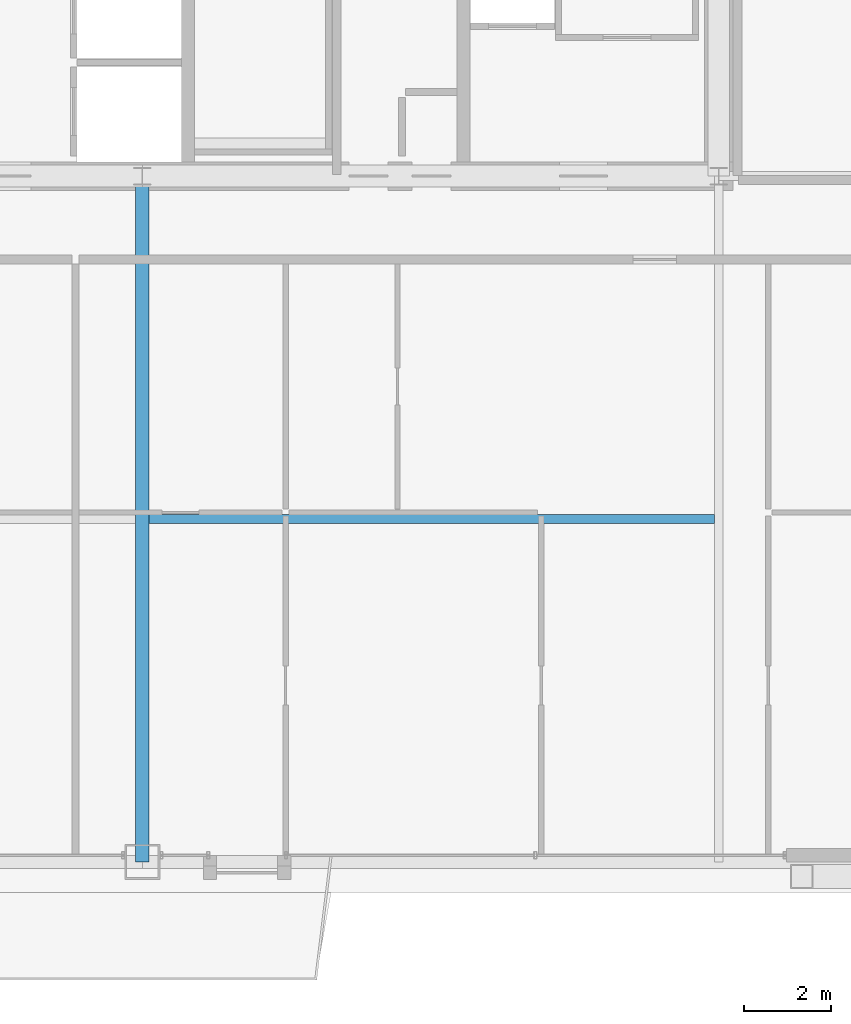
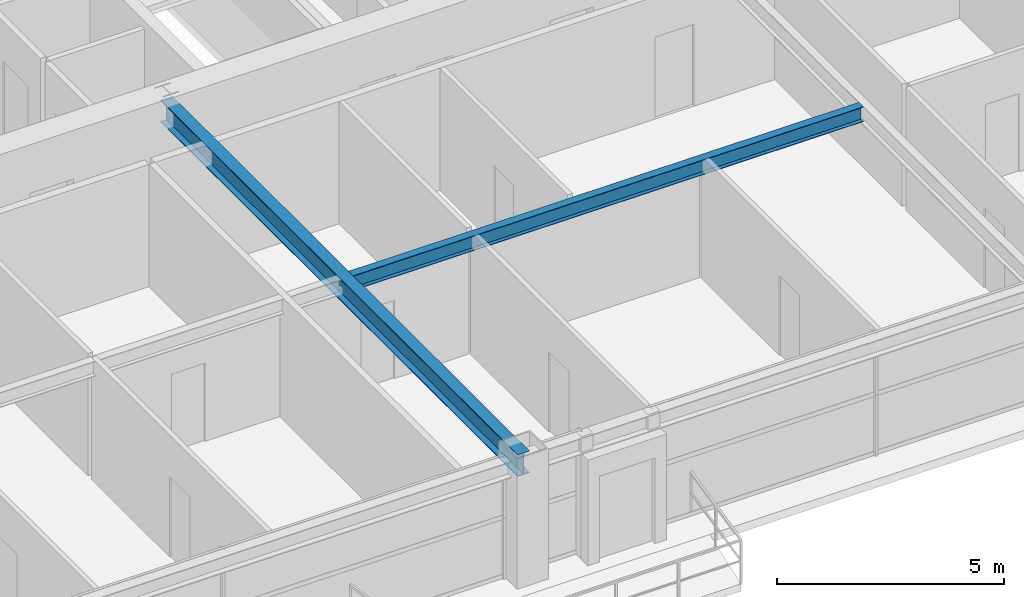
# One storey, part 13 of 45: 2 beams.
"""IFC4 building model written with IfcOpenShell, lengths in metres."""

import ifcopenshell
import ifcopenshell.guid

model = None  # the IFC model being written
_history = None  # IfcOwnerHistory: only IFC2X3 demands one
_inside = {}  # id of a spatial element -> (the spatial element, [elements in it])
_under = {}  # id of a project, library or spatial element -> (it, [spatial elements below it])
_declared = {}  # id of a project -> (the project, [libraries it declares])
_typed = {}  # id of a type object -> (the type object, [elements of that type])
_made_of = {}  # id of a material, layer set ... -> (it, [elements and type objects made of it])


def new_model(schema):
    """Start an empty IFC model of exactly this schema.

    Asked for "IFC4X3", IfcOpenShell would pick the latest addendum, in which some entities
    have other attributes; the version numbers below select the first issue.
    IFC2X3 requires an IfcOwnerHistory on every rooted entity: one is made here for all.
    """
    global model, _history
    if schema == "IFC4X3":
        model = ifcopenshell.file(schema_version=(4, 3, 0, 0))
    else:
        model = ifcopenshell.file(schema=schema)
    _inside.clear()
    _under.clear()
    _declared.clear()
    _typed.clear()
    _made_of.clear()
    _history = None
    if model.schema == "IFC2X3":
        org = make("IfcOrganization", Name="unknown")
        user = make(
            "IfcPersonAndOrganization",
            ThePerson=make("IfcPerson", FamilyName="unknown"),
            TheOrganization=org,
        )
        app = make(
            "IfcApplication",
            ApplicationDeveloper=org,
            Version="unknown",
            ApplicationFullName="unknown",
            ApplicationIdentifier="unknown",
        )
        _history = make(
            "IfcOwnerHistory",
            OwningUser=user,
            OwningApplication=app,
            ChangeAction="ADDED",
            CreationDate=0,
        )
    return model


def make(cls, **values):
    """One entity of the class cls with the attributes given. An attribute that is None is left unset."""
    return model.create_entity(
        cls, **{name: value for name, value in values.items() if value is not None}
    )


def rooted(cls, **values):
    """An entity with a GlobalId (a new one), such as an element, a storey or a relation."""
    return make(cls, GlobalId=ifcopenshell.guid.new(), OwnerHistory=_history, **values)


def si_unit(unit_type, name, prefix=None):
    """IfcSIUnit, for example si_unit("LENGTHUNIT", "METRE", prefix="MILLI")."""
    return make("IfcSIUnit", UnitType=unit_type, Prefix=prefix, Name=name)


def assignment(units):
    """IfcUnitAssignment: the units of a project."""
    return None if units is None else make("IfcUnitAssignment", Units=units)


def point(xyz):
    """IfcCartesianPoint."""
    return None if xyz is None else make("IfcCartesianPoint", Coordinates=xyz)


def direction(xyz):
    """IfcDirection."""
    return None if xyz is None else make("IfcDirection", DirectionRatios=xyz)


def frame(location, z_axis=None, x_axis=None):
    """IfcAxis2Placement3D, a coordinate frame: its origin and axes. An axis left out is left unset."""
    return make(
        "IfcAxis2Placement3D",
        Location=point(location),
        Axis=direction(z_axis),
        RefDirection=direction(x_axis),
    )


def frame_2d(location, x_axis=None):
    """IfcAxis2Placement2D, a coordinate frame in the plane: its origin and x axis."""
    return make(
        "IfcAxis2Placement2D", Location=point(location), RefDirection=direction(x_axis)
    )


def origin():
    """The frame at (0, 0, 0) with its axes left unset."""
    return frame((0.0, 0.0, 0.0))


def origin_2d():
    """The frame at (0, 0) in the plane with its x axis left unset."""
    return frame_2d((0.0, 0.0))


def place(relative_to, where):
    """IfcLocalPlacement: puts the frame where relative to a parent placement (None: the world)."""
    return make(
        "IfcLocalPlacement", PlacementRelTo=relative_to, RelativePlacement=where
    )


def context(
    kind, dimensions, precision=None, world=None, true_north=None, identifier=None
):
    """IfcGeometricRepresentationContext, for example the 3D "Model" context."""
    return make(
        "IfcGeometricRepresentationContext",
        ContextIdentifier=identifier,
        ContextType=kind,
        CoordinateSpaceDimension=dimensions,
        Precision=precision,
        WorldCoordinateSystem=world,
        TrueNorth=true_north,
    )


def subcontext(parent, identifier, kind, view, scale=None):
    """IfcGeometricRepresentationSubContext, for example "Body" below "Model"."""
    return make(
        "IfcGeometricRepresentationSubContext",
        ContextIdentifier=identifier,
        ContextType=kind,
        ParentContext=parent,
        TargetScale=scale,
        TargetView=view,
    )


def project(units=None, contexts=None):
    """IfcProject with its units and contexts."""
    return rooted(
        "IfcProject",
        Name="project",
        RepresentationContexts=contexts,
        UnitsInContext=assignment(units),
    )


def spatial(cls, under=None, at=None, **own):
    """A site, building, storey or space (cls), placed at a placement, below another one or the project."""
    s = rooted(cls, ObjectPlacement=at, **own)
    if under is not None:
        _under.setdefault(under.id(), (under, []))[1].append(s)
    return s


def profile(cls, at=None, kind="AREA", **sizes):
    """A parametric profile (cls). Its sizes go by their IFC names, for example OverallWidth=200.0."""
    return make(cls, ProfileType=kind, Position=at, **sizes)


def i_section(**sizes):
    """IfcIShapeProfileDef."""
    return profile("IfcIShapeProfileDef", **sizes)


def extrude(swept, where, along, depth):
    """IfcExtrudedAreaSolid: the profile swept, set in the frame where, extruded along a direction by depth."""
    return make(
        "IfcExtrudedAreaSolid",
        SweptArea=swept,
        Position=where,
        ExtrudedDirection=direction(along),
        Depth=depth,
    )


def shape(context_of_items, identifier, shape_type, items):
    """IfcShapeRepresentation: the items that make up one representation, for example the "Body"."""
    return make(
        "IfcShapeRepresentation",
        ContextOfItems=context_of_items,
        RepresentationIdentifier=identifier,
        RepresentationType=shape_type,
        Items=items,
    )


def source(mapping_origin, context_of_items, identifier, shape_type, items):
    """IfcRepresentationMap: a shape defined once, which mapped items show again and again."""
    return make(
        "IfcRepresentationMap",
        MappingOrigin=mapping_origin,
        MappedRepresentation=shape(context_of_items, identifier, shape_type, items),
    )


def transform(
    local_origin,
    x_axis=None,
    y_axis=None,
    z_axis=None,
    scale=None,
    scale2=None,
    scale3=None,
    uniform=True,
):
    """IfcCartesianTransformationOperator3D, or its non-uniform kind. x_axis, y_axis, z_axis: its Axis1, 2, 3."""
    if uniform:
        return make(
            "IfcCartesianTransformationOperator3D",
            Axis1=direction(x_axis),
            Axis2=direction(y_axis),
            LocalOrigin=point(local_origin),
            Scale=scale,
            Axis3=direction(z_axis),
        )
    return make(
        "IfcCartesianTransformationOperator3DnonUniform",
        Axis1=direction(x_axis),
        Axis2=direction(y_axis),
        LocalOrigin=point(local_origin),
        Scale=scale,
        Axis3=direction(z_axis),
        Scale2=scale2,
        Scale3=scale3,
    )


def mapped(mapping_source, mapping_target):
    """IfcMappedItem: shows the shape of a source again, moved by a transform."""
    return make(
        "IfcMappedItem", MappingSource=mapping_source, MappingTarget=mapping_target
    )


def material(Name=None, Category=None):
    """IfcMaterial."""
    return make("IfcMaterial", Name=Name, Category=Category)


def material_profile(
    of_material, cross_section, Name=None, Category=None, Priority=None
):
    """IfcMaterialProfile: a cross section and its material."""
    return make(
        "IfcMaterialProfile",
        Name=Name,
        Material=of_material,
        Profile=cross_section,
        Priority=Priority,
        Category=Category,
    )


def profile_set(profiles, Name=None, composite=None):
    """IfcMaterialProfileSet."""
    return make(
        "IfcMaterialProfileSet",
        Name=Name,
        MaterialProfiles=profiles,
        CompositeProfile=composite,
    )


def made_of(thing, what):
    """Note that an element or type object is made of a material, layer set ...; save() writes the relation."""
    if what is not None:
        _made_of.setdefault(what.id(), (what, []))[1].append(thing)
    return thing


def type_object(cls, material=None, **own):
    """A type object (cls), such as IfcWallType, which elements share."""
    return made_of(rooted(cls, **own), material)


def element(
    cls,
    number,
    at=None,
    inside=None,
    cuts=None,
    type_object=None,
    material=None,
    context=None,
    identifier="Body",
    shape_type=None,
    held_by="IfcProductDefinitionShape",
    body=None,
    shapes=None,
    **own,
):
    """One element of the class cls, such as IfcWall. Its Tag is "e" and its number.

    at: its placement. inside: the storey or other place that contains it. cuts: it is an
    opening in that element (IfcRelVoidsElement). A single representation is given by context,
    identifier, shape_type and body (its items); several are given by shapes. held_by: the class
    of the entity that holds the representations. save() writes the other relations.
    """
    e = rooted(cls, Tag="e%d" % number, ObjectPlacement=at, **own)
    if body is not None:
        shapes = [shape(context, identifier, shape_type, body)]
    if shapes is not None:
        e.Representation = make(held_by, Representations=shapes)
    if inside is not None:
        _inside.setdefault(inside.id(), (inside, []))[1].append(e)
    if cuts is not None:
        rooted(
            "IfcRelVoidsElement", RelatingBuildingElement=cuts, RelatedOpeningElement=e
        )
    if type_object is not None:
        _typed.setdefault(type_object.id(), (type_object, []))[1].append(e)
    return made_of(e, material)


def aggregate(whole, parts):
    """IfcRelAggregates: a whole, such as a stair, and the parts it consists of."""
    return rooted("IfcRelAggregates", RelatingObject=whole, RelatedObjects=parts)


def save(model, path):
    """Write the relations noted so far, then the file.

    IfcRelAggregates (storeys below a building ...), IfcRelContainedInSpatialStructure (elements
    in a storey), IfcRelDefinesByType, IfcRelAssociatesMaterial and IfcRelDeclares: one each for
    every whole, place, type object, material and project.
    """
    for whole, parts in _under.values():
        aggregate(whole, parts)
    for where, things in _inside.values():
        rooted(
            "IfcRelContainedInSpatialStructure",
            RelatedElements=things,
            RelatingStructure=where,
        )
    for kind, things in _typed.values():
        rooted("IfcRelDefinesByType", RelatedObjects=things, RelatingType=kind)
    for what, things in _made_of.values():
        rooted("IfcRelAssociatesMaterial", RelatedObjects=things, RelatingMaterial=what)
    for by, libraries in _declared.values():
        rooted("IfcRelDeclares", RelatingContext=by, RelatedDefinitions=libraries)
    model.write(path)


model = new_model("IFC4")

# Units and contexts
model_context = context("Model", 3, precision=1e-05, world=origin(), true_north=direction((0.0, 1.0)))
body_context = subcontext(model_context, "Body", "Model", "MODEL_VIEW")
ifc_project = project(units=[si_unit("LENGTHUNIT", "METRE"), si_unit("AREAUNIT", "SQUARE_METRE"), si_unit("VOLUMEUNIT", "CUBIC_METRE"), si_unit("PLANEANGLEUNIT", "RADIAN"), si_unit("MASSUNIT", "GRAM", prefix="KILO"), si_unit("THERMODYNAMICTEMPERATUREUNIT", "KELVIN"), si_unit("POWERUNIT", "WATT")], contexts=[model_context])

# Site, building, storey
site_placement = place(None, origin())
site = spatial("IfcSite", under=ifc_project, at=site_placement, CompositionType="ELEMENT")
building_placement = place(site_placement, origin())
building = spatial("IfcBuilding", under=site, at=building_placement, Name="Yuzanri Waterfront Tower", CompositionType="ELEMENT")
storey_placement = place(building_placement, frame((0.0, 0.0, 212.5)))
storey = spatial("IfcBuildingStorey", under=building, at=storey_placement, Name="L56", CompositionType="ELEMENT", Elevation=212.5)

# Beams
ifc_material_1 = material(Name="Steel Q355B", Category="steel")
ifc_material_profile_1 = material_profile(ifc_material_1, i_section(OverallWidth=0.199951171875, OverallDepth=0.39990234375, WebThickness=0.008056640625, FlangeThickness=0.012939453125, at=origin_2d()), Name="HN 400x200x8x13")
ifc_profile_set_1 = profile_set([ifc_material_profile_1], Name="Steel Q355B")
beam_type_1 = type_object("IfcBeamType", Name="Floor Joist Q355B HN 400x200", PredefinedType="JOIST", material=ifc_profile_set_1)
shared_shape_1 = source(origin(), body_context, "Body", "SweptSolid", [
    extrude(i_section(OverallWidth=0.199951171875, OverallDepth=0.39990234375, WebThickness=0.008056640625, FlangeThickness=0.012939453125, at=origin_2d()), origin(), (0.0, 0.0, 1.0), 12.9501953125),
])
beam_1_placement = place(storey_placement, frame((37.14990234375, 11.550048828125, 3.080078125), z_axis=(1.0, 0.0, 0.0), x_axis=(0.0, 1.0, 0.0)))
element("IfcBeam", 1, at=beam_1_placement, inside=storey, type_object=beam_type_1, Name="L56 South Bay Joist E", PredefinedType="JOIST", context=body_context, shape_type="MappedRepresentation", body=[
    mapped(shared_shape_1, transform((0.0, 0.0, 0.0), scale=1.0)),
])
ifc_material_2 = material(Name="Steel Q355B", Category="steel")
ifc_material_profile_2 = material_profile(ifc_material_2, i_section(OverallWidth=0.300048828125, OverallDepth=0.587890625, WebThickness=0.011962890625, FlangeThickness=0.02001953125, at=origin_2d()), Name="HM 588x300x12x20")
ifc_profile_set_2 = profile_set([ifc_material_profile_2], Name="Steel Q355B")
beam_type_2 = type_object("IfcBeamType", Name="Primary Floor Girder Q355B HM 588x300", PredefinedType="BEAM", material=ifc_profile_set_2)
shared_shape_2 = source(origin(), body_context, "Body", "SweptSolid", [
    extrude(i_section(OverallWidth=0.300048828125, OverallDepth=0.587890625, WebThickness=0.011962890625, FlangeThickness=0.02001953125, at=origin_2d()), origin(), (0.0, 0.0, 1.0), 15.699951171875),
])
beam_2_placement = place(storey_placement, frame((37.0, 19.39990234375, 2.986083984375), z_axis=(0.0, -1.0, 0.0), x_axis=(1.0, 0.0, 0.0)))
element("IfcBeam", 2, at=beam_2_placement, inside=storey, type_object=beam_type_2, Name="L56 South Grid Girder", PredefinedType="BEAM", context=body_context, shape_type="MappedRepresentation", body=[
    mapped(shared_shape_2, transform((0.0, 0.0, 0.0), scale=1.0)),
])

save(model, "model.ifc")
